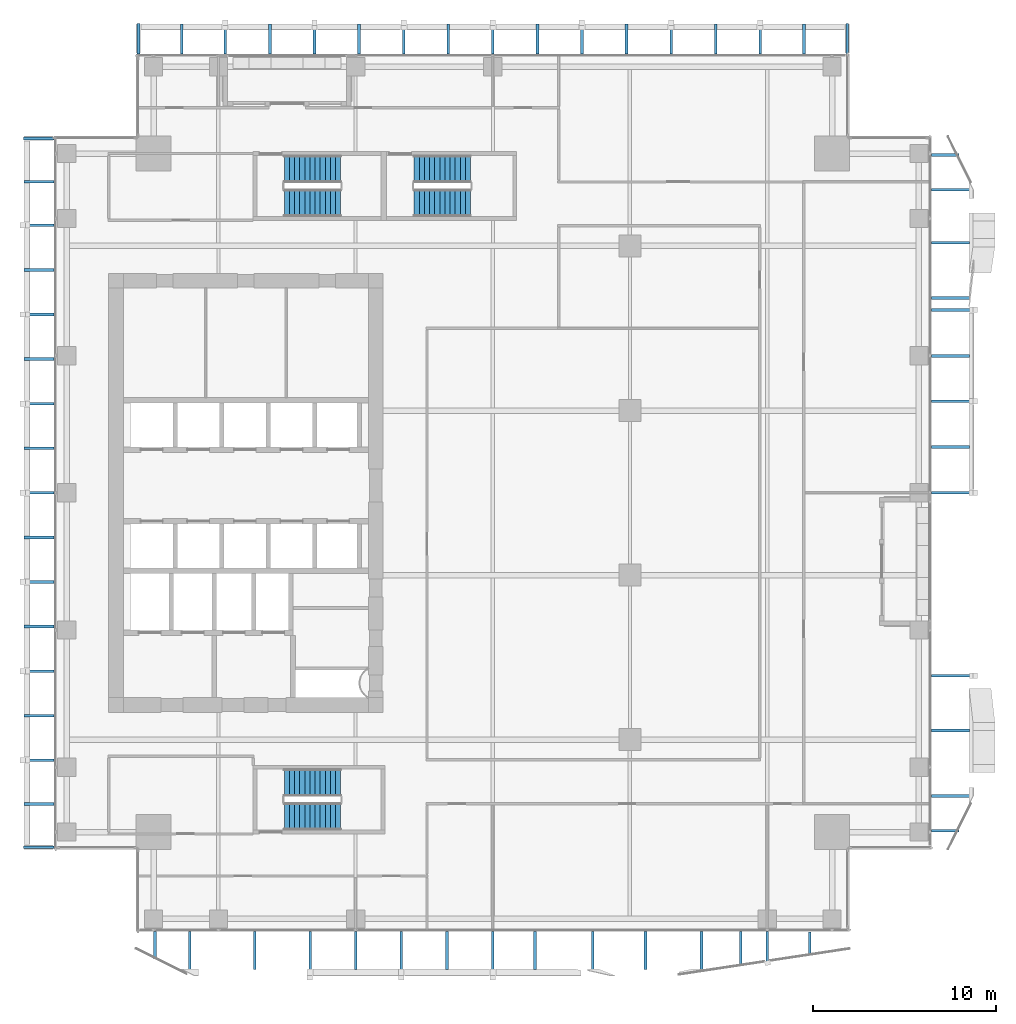
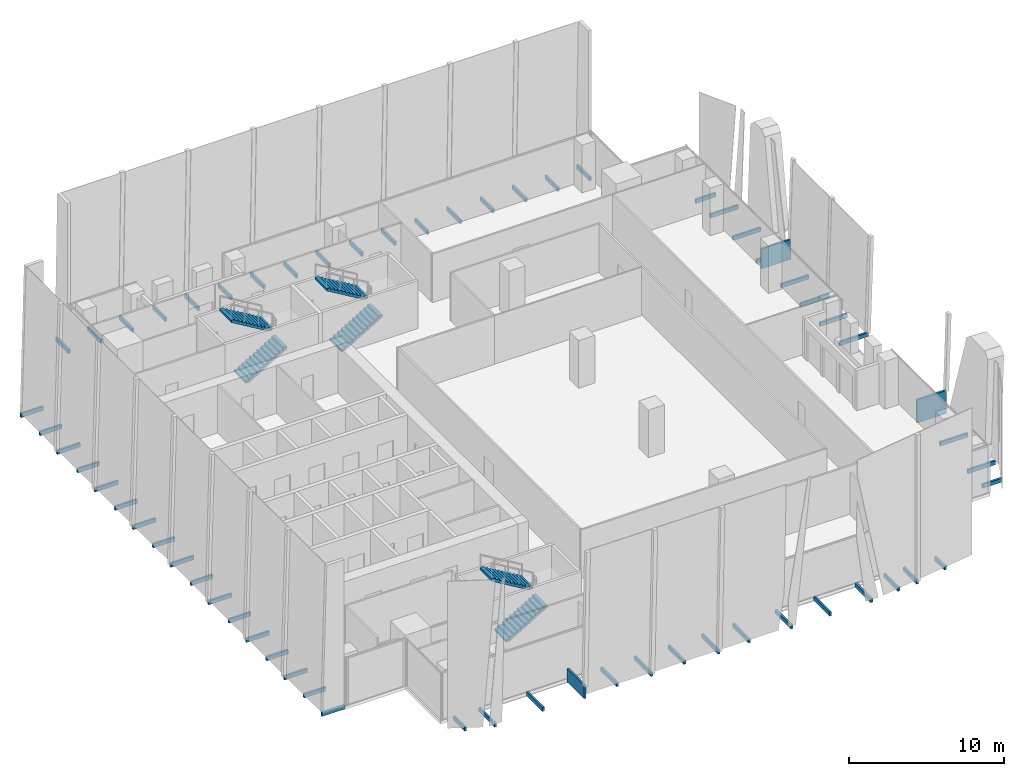
# One storey, part 31 of 35: 62 discrete accessories, 6 stair flights, 3 elements without a shape of their own.
"""IFC4 building model written with IfcOpenShell, lengths in metres."""

from ifc_helpers import new_model, si_unit, direction, frame, origin, origin_2d, place, context, subcontext, project, spatial, polyline, rectangle, outline, extrude, source, transform, mapped, material, type_object, element, aggregate, save


model = new_model("IFC4")

# Units and contexts
model_context = context("Model", 3, precision=1e-05, world=origin(), true_north=direction((0.0, 1.0)))
body_context = subcontext(model_context, "Body", "Model", "MODEL_VIEW")
ifc_project = project(units=[si_unit("LENGTHUNIT", "METRE"), si_unit("AREAUNIT", "SQUARE_METRE"), si_unit("VOLUMEUNIT", "CUBIC_METRE"), si_unit("PLANEANGLEUNIT", "RADIAN"), si_unit("MASSUNIT", "GRAM", prefix="KILO")], contexts=[model_context])

# Site, building, storey
site_placement = place(None, origin())
site = spatial("IfcSite", under=ifc_project, at=site_placement, CompositionType="ELEMENT")
building_placement = place(site_placement, origin())
building = spatial("IfcBuilding", under=site, at=building_placement, Name="Khomas Fold Tower", CompositionType="ELEMENT")
storey_placement = place(building_placement, frame((0.0, 0.0, 200.699951171875)))
storey = spatial("IfcBuildingStorey", under=building, at=storey_placement, Name="L44", CompositionType="ELEMENT", Elevation=200.699951171875)

# Stair, stair flights
ifc_material_1 = material(Name="Concrete C40/50", Category="concrete")
stair_type_1 = type_object("IfcStairType", Name="Stair ST1", PredefinedType="HALF_TURN_STAIR", material=ifc_material_1)
stair_1_placement = place(storey_placement, origin())
stair_1 = element("IfcStair", 1, at=stair_1_placement, inside=storey, type_object=stair_type_1, Name="L44 ST1", PredefinedType="HALF_TURN_STAIR")
ifc_material_2 = material(Name="Concrete C40/50", Category="concrete")
stair_flight_type_1 = type_object("IfcStairFlightType", Name="Stair flight 1500 ST1", PredefinedType="STRAIGHT", material=ifc_material_2)
shared_shape_1 = source(origin(), body_context, "Body", "SweptSolid", [
    extrude(outline(polyline([(0.0, 0.0), (0.0, 0.012939453125), (0.0, 0.025634765625), (0.0, 0.03857421875), (0.0, 0.05126953125), (0.0, 0.064208984375), (0.0, 0.076904296875), (0.0, 0.08984375), (0.0, 0.1025390625), (0.0, 0.115478515625), (0.0, 0.128173828125), (0.0, 0.14111328125), (0.0, 0.15380859375), (0.0, 0.166748046875), (0.280029296875, 0.166748046875), (0.280029296875, 0.333251953125), (0.56005859375, 0.333251953125), (0.56005859375, 0.5), (0.840087890625, 0.5), (0.840087890625, 0.666748046875), (1.1201171875, 0.666748046875), (1.1201171875, 0.833251953125), (1.39990234375, 0.833251953125), (1.39990234375, 1.0), (1.679931640625, 1.0), (1.679931640625, 1.166748046875), (1.9599609375, 1.166748046875), (1.9599609375, 1.333251953125), (2.239990234375, 1.333251953125), (2.239990234375, 1.5), (2.52001953125, 1.5), (2.52001953125, 1.666748046875), (2.800048828125, 1.666748046875), (2.800048828125, 1.833251953125), (3.080078125, 1.833251953125), (3.080078125, 2.0), (3.080078125, 1.973876953125), (3.080078125, 1.947509765625), (3.080078125, 1.92138671875), (3.080078125, 1.89501953125), (3.080078125, 1.868896484375), (3.080078125, 1.842529296875), (3.080078125, 1.81640625), (3.080078125, 1.7900390625), (3.080078125, 1.763916015625), (3.080078125, 1.737548828125), (3.080078125, 1.71142578125), (3.080078125, 1.68505859375), (3.080078125, 1.658935546875), (0.29296875, 0.0), (0.0, 0.0)])), frame((0.0, 0.75, 0.0), z_axis=(0.0, -1.0, 0.0), x_axis=(1.0, 0.0, 0.0)), (0.0, 0.0, 1.0), 1.5),
])
stair_flight_1_placement = place(storey_placement, frame((15.60009765625, 42.85009765625, 0.0), z_axis=(0.0, 0.0, 1.0), x_axis=(1.0, 0.0, 0.0)))
stair_flight_1 = element("IfcStairFlight", 2, at=stair_flight_1_placement, type_object=stair_flight_type_1, Name="ST1 flight 1", NumberOfRisers=12, NumberOfTreads=11, PredefinedType="STRAIGHT", RiserHeight=0.166666667, TreadLength=0.28, context=body_context, shape_type="MappedRepresentation", body=[
    mapped(shared_shape_1, transform((0.0, 0.0, 0.0))),
])
stair_flight_2_placement = place(storey_placement, frame((18.679931640625, 44.699951171875, 2.0), z_axis=(0.0, 0.0, 1.0), x_axis=(-1.0, 0.0, 0.0)))
stair_flight_2 = element("IfcStairFlight", 3, at=stair_flight_2_placement, type_object=stair_flight_type_1, Name="ST1 flight 2", NumberOfRisers=12, NumberOfTreads=11, PredefinedType="STRAIGHT", RiserHeight=0.166666667, TreadLength=0.28, context=body_context, shape_type="MappedRepresentation", body=[
    mapped(shared_shape_1, transform((0.0, 0.0, 0.0))),
])
aggregate(stair_1, [stair_flight_1, stair_flight_2])

ifc_material_3 = material(Name="Concrete C40/50", Category="concrete")
stair_type_2 = type_object("IfcStairType", Name="Stair ST2", PredefinedType="HALF_TURN_STAIR", material=ifc_material_3)
stair_2_placement = place(storey_placement, origin())
stair_2 = element("IfcStair", 4, at=stair_2_placement, inside=storey, type_object=stair_type_2, Name="L44 ST2", PredefinedType="HALF_TURN_STAIR")
ifc_material_4 = material(Name="Concrete C40/50", Category="concrete")
stair_flight_type_2 = type_object("IfcStairFlightType", Name="Stair flight 1500 ST2", PredefinedType="STRAIGHT", material=ifc_material_4)
stair_flight_3_placement = place(storey_placement, frame((15.60009765625, 9.300048828125, 0.0), z_axis=(0.0, 0.0, 1.0), x_axis=(1.0, 0.0, 0.0)))
stair_flight_3 = element("IfcStairFlight", 5, at=stair_flight_3_placement, type_object=stair_flight_type_2, Name="ST2 flight 1", NumberOfRisers=12, NumberOfTreads=11, PredefinedType="STRAIGHT", RiserHeight=0.166666667, TreadLength=0.28, context=body_context, shape_type="MappedRepresentation", body=[
    mapped(shared_shape_1, transform((0.0, 0.0, 0.0))),
])
stair_flight_4_placement = place(storey_placement, frame((18.679931640625, 11.14990234375, 2.0), z_axis=(0.0, 0.0, 1.0), x_axis=(-1.0, 0.0, 0.0)))
stair_flight_4 = element("IfcStairFlight", 6, at=stair_flight_4_placement, type_object=stair_flight_type_2, Name="ST2 flight 2", NumberOfRisers=12, NumberOfTreads=11, PredefinedType="STRAIGHT", RiserHeight=0.166666667, TreadLength=0.28, context=body_context, shape_type="MappedRepresentation", body=[
    mapped(shared_shape_1, transform((0.0, 0.0, 0.0))),
])
aggregate(stair_2, [stair_flight_3, stair_flight_4])

ifc_material_5 = material(Name="Concrete C40/50", Category="concrete")
stair_type_3 = type_object("IfcStairType", Name="Stair ST3", PredefinedType="HALF_TURN_STAIR", material=ifc_material_5)
stair_3_placement = place(storey_placement, origin())
stair_3 = element("IfcStair", 7, at=stair_3_placement, inside=storey, type_object=stair_type_3, Name="L44 ST3", PredefinedType="HALF_TURN_STAIR")
ifc_material_6 = material(Name="Concrete C40/50", Category="concrete")
stair_flight_type_3 = type_object("IfcStairFlightType", Name="Stair flight 1500 ST3", PredefinedType="STRAIGHT", material=ifc_material_6)
stair_flight_5_placement = place(storey_placement, frame((22.699951171875, 42.85009765625, 0.0), z_axis=(0.0, 0.0, 1.0), x_axis=(1.0, 0.0, 0.0)))
stair_flight_5 = element("IfcStairFlight", 8, at=stair_flight_5_placement, type_object=stair_flight_type_3, Name="ST3 flight 1", NumberOfRisers=12, NumberOfTreads=11, PredefinedType="STRAIGHT", RiserHeight=0.166666667, TreadLength=0.28, context=body_context, shape_type="MappedRepresentation", body=[
    mapped(shared_shape_1, transform((0.0, 0.0, 0.0))),
])
stair_flight_6_placement = place(storey_placement, frame((25.780029296875, 44.699951171875, 2.0), z_axis=(0.0, 0.0, 1.0), x_axis=(-1.0, 0.0, 0.0)))
stair_flight_6 = element("IfcStairFlight", 9, at=stair_flight_6_placement, type_object=stair_flight_type_3, Name="ST3 flight 2", NumberOfRisers=12, NumberOfTreads=11, PredefinedType="STRAIGHT", RiserHeight=0.166666667, TreadLength=0.28, context=body_context, shape_type="MappedRepresentation", body=[
    mapped(shared_shape_1, transform((0.0, 0.0, 0.0))),
])
aggregate(stair_3, [stair_flight_5, stair_flight_6])

# Discrete accessories
ifc_material_7 = material(Name="Stainless steel", Category="steel")
discrete_accessory_type = type_object("IfcDiscreteAccessoryType", Name="SK-Stainless steel stone bracket", PredefinedType="BRACKET", material=ifc_material_7)
shared_shape_2 = source(origin(), body_context, "Body", "SweptSolid", [
    extrude(rectangle(XDim=2.052978515625, YDim=0.14990234375, at=origin_2d()), origin(), (0.0, 0.0, 1.0), 0.31005859375),
])
for number, where, z_axis, x_axis, name in (
    (10, (13.986328125, 1.9736328125, -0.25), (0.0, 0.0, 1.0), (0.0, -1.0, 0.0), "Stone bracket L44 SS03-1-2"),
    (11, (35.343994140625, 1.9736328125, -0.25), (0.0, 0.0, 1.0), (0.0, -1.0, 0.0), "Stone bracket L44 SS06-2-2"),
    (12, (52.0263671875, 13.99951171875, -0.25), (0.0, 0.0, 1.0), (1.0, 0.0, 0.0), "Stone bracket L44 ES03-1-1"),
    (13, (52.0263671875, 40.666259765625, -0.25), (0.0, 0.0, 1.0), (1.0, 0.0, 0.0), "Stone bracket L44 ES06-2-1"),
    (14, (10.42724609375, 1.9736328125, -0.25), (0.0, 0.0, 1.0), (0.0, -1.0, 0.0), "Stone bracket L44 SG099-1-1"),
    (15, (32.463623046875, 1.9736328125, -0.25), (0.0, 0.0, 1.0), (0.0, -1.0, 0.0), "Stone bracket L44 SG104-3-1"),
    (16, (19.5, 1.9736328125, -0.25), (0.0, 0.0, 1.0), (0.0, -1.0, 0.0), "Stone bracket L44 SG101-5-1"),
    (17, (24.5, 1.9736328125, -0.25), (0.0, 0.0, 1.0), (0.0, -1.0, 0.0), "Stone bracket L44 SG102-7-1"),
    (18, (29.310546875, 1.9736328125, -0.25), (0.0, 0.0, 1.0), (0.0, -1.0, 0.0), "Stone bracket L44 SG103-9-1"),
    (19, (38.40673828125, 1.9736328125, -0.25), (0.0, 0.0, 1.0), (0.0, -1.0, 0.0), "Stone bracket L44 SG105-10-1"),
    (20, (52.0263671875, 10.42724609375, -0.25), (0.0, 0.0, 1.0), (1.0, 0.0, 0.0), "Stone bracket L44 EG099-1-1"),
    (21, (52.0263671875, 37.65380859375, -0.25), (0.0, 0.0, 1.0), (1.0, 0.0, 0.0), "Stone bracket L44 EG105-3-1"),
    (22, (52.0263671875, 29.5, -0.25), (0.0, 0.0, 1.0), (1.0, 0.0, 0.0), "Stone bracket L44 EG103-6-1"),
    (23, (52.0263671875, 34.486083984375, -0.25), (0.0, 0.0, 1.0), (1.0, 0.0, 0.0), "Stone bracket L44 EG104-8-1"),
    (24, (52.0263671875, 43.57275390625, -0.25), (0.0, 0.0, 1.0), (1.0, 0.0, 0.0), "Stone bracket L44 EG106-10-1"),
):
    element("IfcDiscreteAccessory", number, at=place(storey_placement, frame(where, z_axis=z_axis, x_axis=x_axis)), inside=storey, type_object=discrete_accessory_type, Name=name, PredefinedType="BRACKET", context=body_context, shape_type="MappedRepresentation", body=[
        mapped(shared_shape_2, transform((0.0, 0.0, 0.0))),
    ])
shared_shape_3 = source(origin(), body_context, "Body", "SweptSolid", [
    extrude(rectangle(XDim=1.73828125, YDim=0.14990234375, at=origin_2d()), origin(), (0.0, 0.0, 1.0), 0.31005859375),
])
discrete_accessory_1_placement = place(storey_placement, frame((42.0, 2.130859375, -0.25), z_axis=(0.0, 0.0, 1.0), x_axis=(0.0, -1.0, 0.0)))
element("IfcDiscreteAccessory", 25, at=discrete_accessory_1_placement, inside=storey, type_object=discrete_accessory_type, Name="Stone bracket L44 SM106-12-1", PredefinedType="BRACKET", context=body_context, shape_type="MappedRepresentation", body=[
    mapped(shared_shape_3, transform((0.0, 0.0, 0.0))),
])
shared_shape_4 = source(origin(), body_context, "Body", "SweptSolid", [
    extrude(rectangle(XDim=1.265380859375, YDim=0.14990234375, at=origin_2d()), origin(), (0.0, 0.0, 1.0), 0.31005859375),
])
discrete_accessory_2_placement = place(storey_placement, frame((44.3349609375, 2.3671875, -0.25), z_axis=(0.0, 0.0, 1.0), x_axis=(0.0, -1.0, 0.0)))
element("IfcDiscreteAccessory", 26, at=discrete_accessory_2_placement, inside=storey, type_object=discrete_accessory_type, Name="Stone bracket L44 SG106-13-1", PredefinedType="BRACKET", context=body_context, shape_type="MappedRepresentation", body=[
    mapped(shared_shape_4, transform((0.0, 0.0, 0.0))),
])
shared_shape_5 = source(origin(), body_context, "Body", "SweptSolid", [
    extrude(rectangle(XDim=1.47705078125, YDim=0.14990234375, at=origin_2d()), origin(), (0.0, 0.0, 1.0), 0.31005859375),
])
for number, where, z_axis, x_axis, name in (
    (27, (8.529052734375, 2.261474609375, -0.25), (0.0, 0.0, 1.0), (0.0, -1.0, 0.0), "Stone bracket L44 SG099-2-1"),
    (28, (51.738525390625, 8.529052734375, -0.25), (0.0, 0.0, 1.0), (1.0, 0.0, 0.0), "Stone bracket L44 EG099-2-1"),
    (29, (51.738525390625, 45.470947265625, -0.25), (0.0, 0.0, 1.0), (1.0, 0.0, 0.0), "Stone bracket L44 EG106-11-1"),
):
    element("IfcDiscreteAccessory", number, at=place(storey_placement, frame(where, z_axis=z_axis, x_axis=x_axis)), inside=storey, type_object=discrete_accessory_type, Name=name, PredefinedType="BRACKET", context=body_context, shape_type="MappedRepresentation", body=[
        mapped(shared_shape_5, transform((0.0, 0.0, 0.0))),
    ])
shared_shape_6 = source(origin(), body_context, "Body", "SweptSolid", [
    extrude(rectangle(XDim=2.17138671875, YDim=0.14990234375, at=origin_2d()), origin(), (0.0, 0.0, 1.0), 1.06005859375),
])
discrete_accessory_3_placement = place(storey_placement, frame((17.01513671875, 1.914306640625, -0.25), z_axis=(0.0, 0.0, 1.0), x_axis=(0.0, -1.0, 0.0)))
element("IfcDiscreteAccessory", 30, at=discrete_accessory_3_placement, inside=storey, type_object=discrete_accessory_type, Name="Stone bracket L44 SM101-4-1", PredefinedType="BRACKET", context=body_context, shape_type="MappedRepresentation", body=[
    mapped(shared_shape_6, transform((0.0, 0.0, 0.0))),
])
shared_shape_7 = source(origin(), body_context, "Body", "SweptSolid", [
    extrude(rectangle(XDim=2.14794921875, YDim=0.14990234375, at=origin_2d()), origin(), (0.0, 0.0, 1.0), 0.31005859375),
])
for number, where, z_axis, x_axis, name in (
    (31, (22.0, 1.926025390625, -0.25), (0.0, 0.0, 1.0), (0.0, -1.0, 0.0), "Stone bracket L44 SM102-6-1"),
    (32, (27.0, 1.926025390625, -0.25), (0.0, 0.0, 1.0), (0.0, -1.0, 0.0), "Stone bracket L44 SM103-8-1"),
    (33, (52.073974609375, 27.0, -0.25), (0.0, 0.0, 1.0), (1.0, 0.0, 0.0), "Stone bracket L44 EM103-5-1"),
    (34, (52.073974609375, 32.0, -0.25), (0.0, 0.0, 1.0), (1.0, 0.0, 0.0), "Stone bracket L44 EM104-7-1"),
):
    element("IfcDiscreteAccessory", number, at=place(storey_placement, frame(where, z_axis=z_axis, x_axis=x_axis)), inside=storey, type_object=discrete_accessory_type, Name=name, PredefinedType="BRACKET", context=body_context, shape_type="MappedRepresentation", body=[
        mapped(shared_shape_7, transform((0.0, 0.0, 0.0))),
    ])
shared_shape_8 = source(origin(), body_context, "Body", "SweptSolid", [
    extrude(rectangle(XDim=1.84033203125, YDim=0.14990234375, at=origin_2d()), origin(), (0.0, 0.0, 1.0), 0.31005859375),
])
discrete_accessory_4_placement = place(storey_placement, frame((40.552978515625, 2.079833984375, -0.25), z_axis=(0.0, 0.0, 1.0), x_axis=(0.0, -1.0, 0.0)))
element("IfcDiscreteAccessory", 35, at=discrete_accessory_4_placement, inside=storey, type_object=discrete_accessory_type, Name="Stone bracket L44 SG105-11-1", PredefinedType="BRACKET", context=body_context, shape_type="MappedRepresentation", body=[
    mapped(shared_shape_8, transform((0.0, 0.0, 0.0))),
])
shared_shape_9 = source(origin(), body_context, "Body", "SweptSolid", [
    extrude(rectangle(XDim=2.19482421875, YDim=0.14990234375, at=origin_2d()), origin(), (0.0, 0.0, 1.0), 1.81005859375),
])
discrete_accessory_5_placement = place(storey_placement, frame((52.097412109375, 17.0009765625, -0.25), z_axis=(0.0, 0.0, 1.0), x_axis=(1.0, 0.0, 0.0)))
element("IfcDiscreteAccessory", 36, at=discrete_accessory_5_placement, inside=storey, type_object=discrete_accessory_type, Name="Stone bracket L44 EM101-4-1", PredefinedType="BRACKET", context=body_context, shape_type="MappedRepresentation", body=[
    mapped(shared_shape_9, transform((0.0, 0.0, 0.0))),
])
shared_shape_10 = source(origin(), body_context, "Body", "SweptSolid", [
    extrude(rectangle(XDim=2.18701171875, YDim=0.14990234375, at=origin_2d()), origin(), (0.0, 0.0, 1.0), 1.56005859375),
])
discrete_accessory_6_placement = place(storey_placement, frame((52.093505859375, 36.998046875, -0.25), z_axis=(0.0, 0.0, 1.0), x_axis=(1.0, 0.0, 0.0)))
element("IfcDiscreteAccessory", 37, at=discrete_accessory_6_placement, inside=storey, type_object=discrete_accessory_type, Name="Stone bracket L44 EM105-9-1", PredefinedType="BRACKET", context=body_context, shape_type="MappedRepresentation", body=[
    mapped(shared_shape_10, transform((0.0, 0.0, 0.0))),
])
shared_shape_11 = source(origin(), body_context, "Body", "SweptSolid", [
    extrude(rectangle(XDim=1.62646484375, YDim=0.14990234375, at=origin_2d()), origin(), (0.0, 0.0, 1.0), 0.31005859375),
])
for number, where, z_axis, x_axis, name in (
    (38, (9.987548828125, 51.813232421875, -0.25), (0.0, 0.0, 1.0), (0.0, 1.0, 0.0), "Stone bracket L44 PLNG01"),
    (39, (14.8125, 51.813232421875, -0.25), (0.0, 0.0, 1.0), (0.0, 1.0, 0.0), "Stone bracket L44 PLNG03"),
    (40, (19.6875, 51.813232421875, -0.25), (0.0, 0.0, 1.0), (0.0, 1.0, 0.0), "Stone bracket L44 PLNG05"),
    (41, (24.5625, 51.813232421875, -0.25), (0.0, 0.0, 1.0), (0.0, 1.0, 0.0), "Stone bracket L44 PLNG07"),
    (42, (29.4375, 51.813232421875, -0.25), (0.0, 0.0, 1.0), (0.0, 1.0, 0.0), "Stone bracket L44 PLNG09"),
    (43, (34.3125, 51.813232421875, -0.25), (0.0, 0.0, 1.0), (0.0, 1.0, 0.0), "Stone bracket L44 PLNG11"),
    (44, (39.1875, 51.813232421875, -0.25), (0.0, 0.0, 1.0), (0.0, 1.0, 0.0), "Stone bracket L44 PLNG13"),
    (45, (44.012451171875, 51.813232421875, -0.25), (0.0, 0.0, 1.0), (0.0, 1.0, 0.0), "Stone bracket L44 PLNG15"),
    (46, (2.186767578125, 9.987548828125, -0.25), (0.0, 0.0, 1.0), (-1.0, 0.0, 0.0), "Stone bracket L44 PLWG01"),
    (47, (2.186767578125, 14.8125, -0.25), (0.0, 0.0, 1.0), (-1.0, 0.0, 0.0), "Stone bracket L44 PLWG03"),
    (48, (2.186767578125, 19.6875, -0.25), (0.0, 0.0, 1.0), (-1.0, 0.0, 0.0), "Stone bracket L44 PLWG05"),
    (49, (2.186767578125, 24.5625, -0.25), (0.0, 0.0, 1.0), (-1.0, 0.0, 0.0), "Stone bracket L44 PLWG07"),
    (50, (2.186767578125, 29.4375, -0.25), (0.0, 0.0, 1.0), (-1.0, 0.0, 0.0), "Stone bracket L44 PLWG09"),
    (51, (2.186767578125, 34.3125, -0.25), (0.0, 0.0, 1.0), (-1.0, 0.0, 0.0), "Stone bracket L44 PLWG11"),
    (52, (2.186767578125, 39.1875, -0.25), (0.0, 0.0, 1.0), (-1.0, 0.0, 0.0), "Stone bracket L44 PLWG13"),
    (53, (2.186767578125, 44.012451171875, -0.25), (0.0, 0.0, 1.0), (-1.0, 0.0, 0.0), "Stone bracket L44 PLWG15"),
):
    element("IfcDiscreteAccessory", number, at=place(storey_placement, frame(where, z_axis=z_axis, x_axis=x_axis)), inside=storey, type_object=discrete_accessory_type, Name=name, PredefinedType="BRACKET", context=body_context, shape_type="MappedRepresentation", body=[
        mapped(shared_shape_11, transform((0.0, 0.0, 0.0))),
    ])
shared_shape_12 = source(origin(), body_context, "Body", "SweptSolid", [
    extrude(rectangle(XDim=1.7216796875, YDim=0.14990234375, at=origin_2d()), origin(), (0.0, 0.0, 1.0), 0.31005859375),
])
for number, where, z_axis, x_axis, name in (
    (54, (12.375, 51.86083984375, -0.25), (0.0, 0.0, 1.0), (0.0, 1.0, 0.0), "Stone bracket L44 PLNM02"),
    (55, (17.25, 51.86083984375, -0.25), (0.0, 0.0, 1.0), (0.0, 1.0, 0.0), "Stone bracket L44 PLNM04"),
    (56, (22.125, 51.86083984375, -0.25), (0.0, 0.0, 1.0), (0.0, 1.0, 0.0), "Stone bracket L44 PLNM06"),
    (57, (27.0, 51.86083984375, -0.25), (0.0, 0.0, 1.0), (0.0, 1.0, 0.0), "Stone bracket L44 PLNM08"),
    (58, (31.875, 51.86083984375, -0.25), (0.0, 0.0, 1.0), (0.0, 1.0, 0.0), "Stone bracket L44 PLNM10"),
    (59, (36.75, 51.86083984375, -0.25), (0.0, 0.0, 1.0), (0.0, 1.0, 0.0), "Stone bracket L44 PLNM12"),
    (60, (41.625, 51.86083984375, -0.25), (0.0, 0.0, 1.0), (0.0, 1.0, 0.0), "Stone bracket L44 PLNM14"),
    (61, (2.13916015625, 12.375, -0.25), (0.0, 0.0, 1.0), (-1.0, 0.0, 0.0), "Stone bracket L44 PLWM02"),
    (62, (2.13916015625, 17.25, -0.25), (0.0, 0.0, 1.0), (-1.0, 0.0, 0.0), "Stone bracket L44 PLWM04"),
    (63, (2.13916015625, 22.125, -0.25), (0.0, 0.0, 1.0), (-1.0, 0.0, 0.0), "Stone bracket L44 PLWM06"),
    (64, (2.13916015625, 27.0, -0.25), (0.0, 0.0, 1.0), (-1.0, 0.0, 0.0), "Stone bracket L44 PLWM08"),
    (65, (2.13916015625, 31.875, -0.25), (0.0, 0.0, 1.0), (-1.0, 0.0, 0.0), "Stone bracket L44 PLWM10"),
    (66, (2.13916015625, 36.75, -0.25), (0.0, 0.0, 1.0), (-1.0, 0.0, 0.0), "Stone bracket L44 PLWM12"),
    (67, (2.13916015625, 41.625, -0.25), (0.0, 0.0, 1.0), (-1.0, 0.0, 0.0), "Stone bracket L44 PLWM14"),
):
    element("IfcDiscreteAccessory", number, at=place(storey_placement, frame(where, z_axis=z_axis, x_axis=x_axis)), inside=storey, type_object=discrete_accessory_type, Name=name, PredefinedType="BRACKET", context=body_context, shape_type="MappedRepresentation", body=[
        mapped(shared_shape_12, transform((0.0, 0.0, 0.0))),
    ])
shared_shape_13 = source(origin(), body_context, "Body", "SweptSolid", [
    extrude(rectangle(XDim=1.66650390625, YDim=0.14990234375, at=origin_2d()), origin(), (0.0, 0.0, 1.0), 0.31005859375),
])
for number, where, z_axis, x_axis, name in (
    (68, (7.625, 51.833251953125, -0.25), (0.0, 0.0, 1.0), (0.0, 1.0, 0.0), "Stone bracket L44 PLNR1"),
    (69, (46.375, 51.833251953125, -0.25), (0.0, 0.0, 1.0), (0.0, 1.0, 0.0), "Stone bracket L44 PLNR2"),
    (70, (2.166748046875, 7.625, -0.25), (0.0, 0.0, 1.0), (-1.0, 0.0, 0.0), "Stone bracket L44 PLWR1"),
    (71, (2.166748046875, 46.375, -0.25), (0.0, 0.0, 1.0), (-1.0, 0.0, 0.0), "Stone bracket L44 PLWR2"),
):
    element("IfcDiscreteAccessory", number, at=place(storey_placement, frame(where, z_axis=z_axis, x_axis=x_axis)), inside=storey, type_object=discrete_accessory_type, Name=name, PredefinedType="BRACKET", context=body_context, shape_type="MappedRepresentation", body=[
        mapped(shared_shape_13, transform((0.0, 0.0, 0.0))),
    ])

save(model, "model.ifc")
